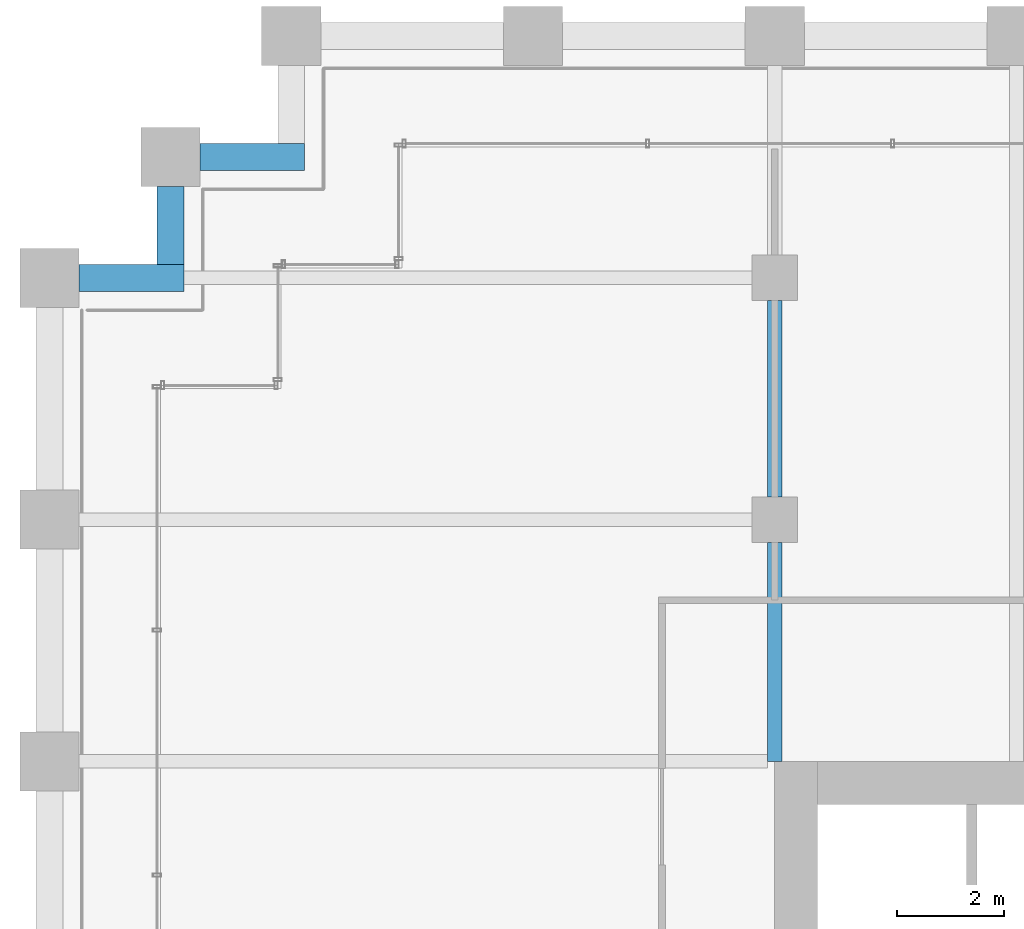
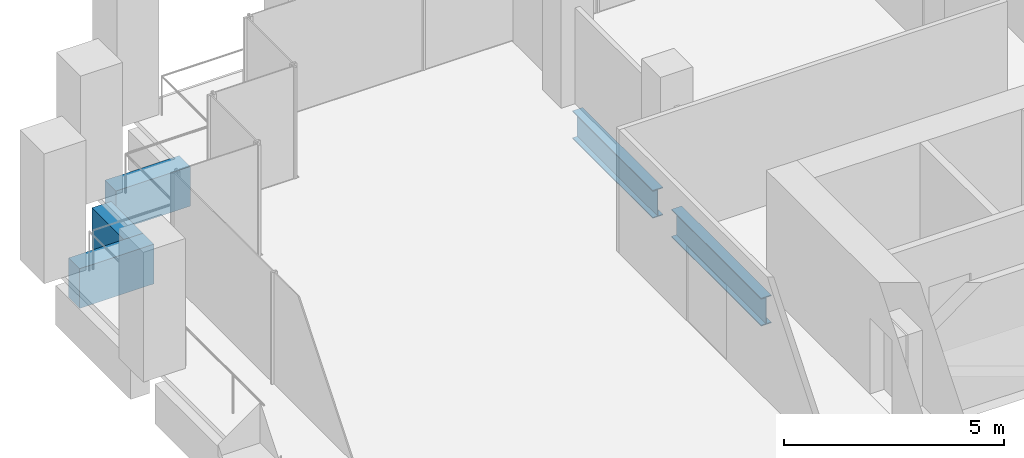
# One storey, part 25 of 54: 5 beams.
"""IFC4 building model written with IfcOpenShell, lengths in metres."""

from ifc_helpers import new_model, si_unit, direction, frame, origin, origin_2d, place, context, subcontext, project, spatial, rectangle, i_section, extrude, material, material_profile, profile_set, type_object, element, save


model = new_model("IFC4")

# Units and contexts
model_context = context("Model", 3, precision=1e-05, world=origin(), true_north=direction((0.0, 1.0)))
body_context = subcontext(model_context, "Body", "Model", "MODEL_VIEW")
ifc_project = project(units=[si_unit("LENGTHUNIT", "METRE"), si_unit("AREAUNIT", "SQUARE_METRE"), si_unit("VOLUMEUNIT", "CUBIC_METRE"), si_unit("PLANEANGLEUNIT", "RADIAN"), si_unit("MASSUNIT", "GRAM", prefix="KILO")], contexts=[model_context])

# Site, building, storey
site_placement = place(None, origin())
site = spatial("IfcSite", under=ifc_project, at=site_placement, CompositionType="ELEMENT")
building_placement = place(site_placement, origin())
building = spatial("IfcBuilding", under=site, at=building_placement, Name="Altepetl Exchange Towers", CompositionType="ELEMENT")
storey_placement = place(building_placement, frame((0.0, 0.0, 58.199951171875)))
storey = spatial("IfcBuildingStorey", under=building, at=storey_placement, Name="L13", CompositionType="ELEMENT", Elevation=58.199951171875)

# Beams
ifc_material_1 = material(Name="Steel S355", Category="steel")
ifc_material_profile_1 = material_profile(ifc_material_1, i_section(OverallWidth=0.26806640625, OverallDepth=0.77392578125, WebThickness=0.015380859375, FlangeThickness=0.025390625, at=origin_2d()), Name="W30X132")
ifc_profile_set_1 = profile_set([ifc_material_profile_1], Name="Steel S355")
beam_type_1 = type_object("IfcBeamType", Name="Girder W30X132", PredefinedType="BEAM", material=ifc_profile_set_1)
beam_1_placement = place(storey_placement, frame((40.5, 67.074951171875, -0.536865234375), z_axis=(0.0, -1.0, 0.0), x_axis=(1.0, 0.0, 0.0)))
element("IfcBeam", 1, at=beam_1_placement, inside=storey, type_object=beam_type_1, Name="gd:A:L13:004", PredefinedType="BEAM", context=body_context, shape_type="SweptSolid", body=[
    extrude(i_section(OverallWidth=0.26806640625, OverallDepth=0.77392578125, WebThickness=0.015380859375, FlangeThickness=0.025390625, at=origin_2d()), origin(), (0.0, 0.0, 1.0), 3.64990234375),
])
beam_2_placement = place(storey_placement, frame((40.5, 62.574951171875, -0.536865234375), z_axis=(0.0, -1.0, 0.0), x_axis=(1.0, 0.0, 0.0)))
element("IfcBeam", 2, at=beam_2_placement, inside=storey, type_object=beam_type_1, Name="gd:A:L13:005", PredefinedType="BEAM", context=body_context, shape_type="SweptSolid", body=[
    extrude(i_section(OverallWidth=0.26806640625, OverallDepth=0.77392578125, WebThickness=0.015380859375, FlangeThickness=0.025390625, at=origin_2d()), origin(), (0.0, 0.0, 1.0), 4.074951171875),
])
ifc_material_2 = material(Name="Concrete C50/60 precast with tezontle facing", Category="concrete")
ifc_material_profile_2 = material_profile(ifc_material_2, rectangle(XDim=0.5, YDim=1.10009765625, at=origin_2d()), Name="500 x 1100")
ifc_profile_set_2 = profile_set([ifc_material_profile_2], Name="Concrete C50/60 precast with tezontle facing")
beam_type_2 = type_object("IfcBeamType", Name="Spandrel beam 500x1100 tezontle", PredefinedType="SPANDREL", material=ifc_profile_set_2)
beam_3_placement = place(storey_placement, frame((31.75, 69.75, -0.699951171875), z_axis=(-1.0, 0.0, 0.0), x_axis=(0.0, -1.0, 0.0)))
element("IfcBeam", 3, at=beam_3_placement, inside=storey, type_object=beam_type_2, Name="sp:A:L13:033", PredefinedType="SPANDREL", context=body_context, shape_type="SweptSolid", body=[
    extrude(rectangle(XDim=0.5, YDim=1.10009765625, at=origin_2d()), origin(), (0.0, 0.0, 1.0), 1.949951171875),
])
beam_4_placement = place(storey_placement, frame((29.25, 69.199951171875, -0.699951171875), z_axis=(0.0, -1.0, 0.0), x_axis=(1.0, 0.0, 0.0)))
element("IfcBeam", 4, at=beam_4_placement, inside=storey, type_object=beam_type_2, Name="sp:A:L13:034", PredefinedType="SPANDREL", context=body_context, shape_type="SweptSolid", body=[
    extrude(rectangle(XDim=0.5, YDim=1.10009765625, at=origin_2d()), origin(), (0.0, 0.0, 1.0), 1.449951171875),
])
beam_5_placement = place(storey_placement, frame((29.5, 67.5, -0.699951171875), z_axis=(-1.0, 0.0, 0.0), x_axis=(0.0, -1.0, 0.0)))
element("IfcBeam", 5, at=beam_5_placement, inside=storey, type_object=beam_type_2, Name="sp:A:L13:035", PredefinedType="SPANDREL", context=body_context, shape_type="SweptSolid", body=[
    extrude(rectangle(XDim=0.5, YDim=1.10009765625, at=origin_2d()), origin(), (0.0, 0.0, 1.0), 1.949951171875),
])

save(model, "model.ifc")
